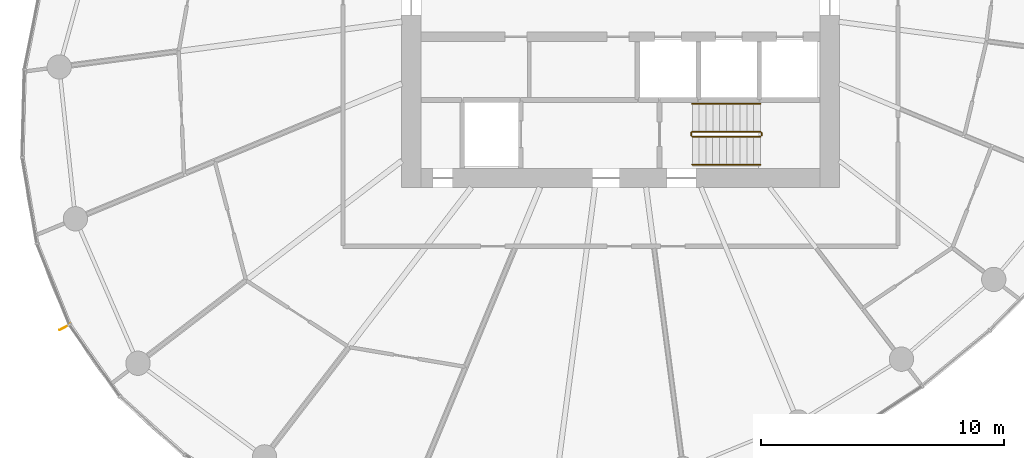
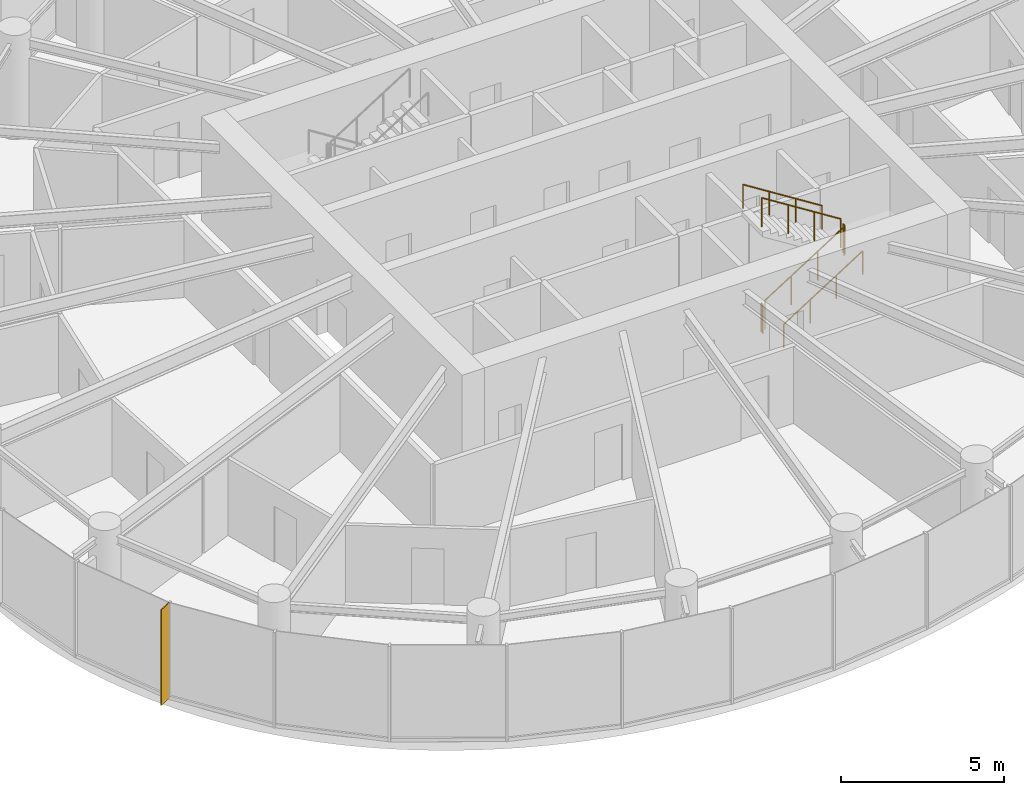
# One storey, part 13 of 15: 6 railings, 1 shading device.
"""IFC4 building model written with IfcOpenShell, lengths in metres."""

from ifc_helpers import new_model, si_unit, direction, frame, origin, origin_2d, place, context, subcontext, project, spatial, rectangle, circle, extrude, source, transform, mapped, material, material_profile, profile_set, type_object, element, save


model = new_model("IFC4")

# Units and contexts
model_context = context("Model", 3, precision=1e-05, world=origin(), true_north=direction((0.0, 1.0)))
body_context = subcontext(model_context, "Body", "Model", "MODEL_VIEW")
ifc_project = project(units=[si_unit("LENGTHUNIT", "METRE"), si_unit("AREAUNIT", "SQUARE_METRE"), si_unit("VOLUMEUNIT", "CUBIC_METRE"), si_unit("PLANEANGLEUNIT", "RADIAN"), si_unit("MASSUNIT", "GRAM", prefix="KILO")], contexts=[model_context])

# Site, building, storey
site_placement = place(None, origin())
site = spatial("IfcSite", under=ifc_project, at=site_placement, CompositionType="ELEMENT")
building_placement = place(site_placement, origin())
building = spatial("IfcBuilding", under=site, at=building_placement, Name="Spindrift Exchange Tower", CompositionType="ELEMENT")
storey_placement = place(building_placement, frame((0.0, 0.0, 172.10009765625)))
storey = spatial("IfcBuildingStorey", under=building, at=storey_placement, Name="L41", CompositionType="ELEMENT", Elevation=172.10009765625)

# Railings
ifc_material_1 = material(Name="Steel balustrade", Category="steel")
railing_type_1 = type_object("IfcRailingType", Name="RL-STAIR-GUARD", PredefinedType="GUARDRAIL", material=ifc_material_1)
railing_1_placement = place(storey_placement, frame((54.949951171875, 42.10009765625, 0.17724609375)))
element("IfcRailing", 1, at=railing_1_placement, inside=storey, type_object=railing_type_1, Name="L41 ST2 stair guard 1", PredefinedType="GUARDRAIL", context=body_context, shape_type="SweptSolid", body=[
    extrude(circle(Radius=0.02392578125, at=origin_2d()), frame((0.0, 0.0, 1.076171875), z_axis=(0.844908973607, 0.0, 0.534910110503), x_axis=(0.0, 1.0, 0.0)), (0.0, 0.0, 1.0), 3.31396484375),
    extrude(circle(Radius=0.02099609375, at=origin_2d()), origin(), (0.0, 0.0, 1.0), 1.052001953125),
    extrude(circle(Radius=0.02099609375, at=origin_2d()), frame((0.933349609375, 0.0, 0.5908203125)), (0.0, 0.0, 1.0), 1.052001953125),
    extrude(circle(Radius=0.02099609375, at=origin_2d()), frame((1.86669921875, 0.0, 1.181884765625)), (0.0, 0.0, 1.0), 1.052001953125),
    extrude(circle(Radius=0.02099609375, at=origin_2d()), frame((2.800048828125, 0.0, 1.772705078125)), (0.0, 0.0, 1.0), 1.052001953125),
])
railing_2_placement = place(storey_placement, frame((57.800048828125, 42.14990234375, 1.949951171875)))
element("IfcRailing", 2, at=railing_2_placement, inside=storey, type_object=railing_type_1, Name="L41 ST2 stair guard 2", PredefinedType="GUARDRAIL", context=body_context, shape_type="SweptSolid", body=[
    extrude(circle(Radius=0.02392578125, at=origin_2d()), frame((0.0, 0.0, 1.076171875), z_axis=(0.0, 1.0, 0.0), x_axis=(-1.0, 0.0, 0.0)), (0.0, 0.0, 1.0), 0.10009765625),
    extrude(circle(Radius=0.02099609375, at=origin_2d()), origin(), (0.0, 0.0, 1.0), 1.052001953125),
    extrude(circle(Radius=0.02099609375, at=origin_2d()), frame((0.0, 0.10009765625, 0.0)), (0.0, 0.0, 1.0), 1.052001953125),
])
railing_3_placement = place(storey_placement, frame((57.75, 42.300048828125, 2.127197265625)))
element("IfcRailing", 3, at=railing_3_placement, inside=storey, type_object=railing_type_1, Name="L41 ST2 stair guard 3", PredefinedType="GUARDRAIL", context=body_context, shape_type="SweptSolid", body=[
    extrude(circle(Radius=0.02392578125, at=origin_2d()), frame((0.0, 0.0, 1.076171875), z_axis=(-0.844908973607, 0.0, 0.534910110503), x_axis=(0.0, -1.0, 0.0)), (0.0, 0.0, 1.0), 3.31396484375),
    extrude(circle(Radius=0.02099609375, at=origin_2d()), origin(), (0.0, 0.0, 1.0), 1.052001953125),
    extrude(circle(Radius=0.02099609375, at=origin_2d()), frame((-0.933349609375, 0.0, 0.5908203125)), (0.0, 0.0, 1.0), 1.052001953125),
    extrude(circle(Radius=0.02099609375, at=origin_2d()), frame((-1.86669921875, 0.0, 1.181884765625)), (0.0, 0.0, 1.0), 1.052001953125),
    extrude(circle(Radius=0.02099609375, at=origin_2d()), frame((-2.800048828125, 0.0, 1.772705078125)), (0.0, 0.0, 1.0), 1.052001953125),
])
railing_4_placement = place(storey_placement, frame((54.89990234375, 42.14990234375, 0.0)))
element("IfcRailing", 4, at=railing_4_placement, inside=storey, type_object=railing_type_1, Name="L41 ST2 stair guard 4", PredefinedType="GUARDRAIL", context=body_context, shape_type="SweptSolid", body=[
    extrude(circle(Radius=0.02392578125, at=origin_2d()), frame((0.0, 0.0, 1.076171875), z_axis=(0.0, 1.0, 0.0), x_axis=(-1.0, 0.0, 0.0)), (0.0, 0.0, 1.0), 0.10009765625),
    extrude(circle(Radius=0.02099609375, at=origin_2d()), origin(), (0.0, 0.0, 1.0), 1.052001953125),
    extrude(circle(Radius=0.02099609375, at=origin_2d()), frame((0.0, 0.10009765625, 0.0)), (0.0, 0.0, 1.0), 1.052001953125),
])
ifc_material_2 = material(Name="Steel tubular handrail", Category="steel")
railing_type_2 = type_object("IfcRailingType", Name="RL-STAIR-HAND", PredefinedType="HANDRAIL", material=ifc_material_2)
railing_5_placement = place(storey_placement, frame((54.949951171875, 40.949951171875, 0.17724609375)))
element("IfcRailing", 5, at=railing_5_placement, inside=storey, type_object=railing_type_2, Name="L41 ST2 stair handrail 1", PredefinedType="HANDRAIL", context=body_context, shape_type="SweptSolid", body=[
    extrude(circle(Radius=0.02392578125, at=origin_2d()), frame((0.0, 0.0, 0.8759765625), z_axis=(0.844908973607, 0.0, 0.534910110503), x_axis=(0.0, 1.0, 0.0)), (0.0, 0.0, 1.0), 3.31396484375),
    extrude(circle(Radius=0.02099609375, at=origin_2d()), origin(), (0.0, 0.0, 1.0), 0.851806640625),
    extrude(circle(Radius=0.02099609375, at=origin_2d()), frame((0.933349609375, 0.0, 0.5908203125)), (0.0, 0.0, 1.0), 0.851806640625),
    extrude(circle(Radius=0.02099609375, at=origin_2d()), frame((1.86669921875, 0.0, 1.181884765625)), (0.0, 0.0, 1.0), 0.851806640625),
    extrude(circle(Radius=0.02099609375, at=origin_2d()), frame((2.800048828125, 0.0, 1.772705078125)), (0.0, 0.0, 1.0), 0.851806640625),
])
railing_6_placement = place(storey_placement, frame((57.75, 43.449951171875, 2.127197265625)))
element("IfcRailing", 6, at=railing_6_placement, inside=storey, type_object=railing_type_2, Name="L41 ST2 stair handrail 2", PredefinedType="HANDRAIL", context=body_context, shape_type="SweptSolid", body=[
    extrude(circle(Radius=0.02392578125, at=origin_2d()), frame((0.0, 0.0, 0.8759765625), z_axis=(-0.844908973607, 0.0, 0.534910110503), x_axis=(0.0, -1.0, 0.0)), (0.0, 0.0, 1.0), 3.31396484375),
    extrude(circle(Radius=0.02099609375, at=origin_2d()), origin(), (0.0, 0.0, 1.0), 0.851806640625),
    extrude(circle(Radius=0.02099609375, at=origin_2d()), frame((-0.933349609375, 0.0, 0.5908203125)), (0.0, 0.0, 1.0), 0.851806640625),
    extrude(circle(Radius=0.02099609375, at=origin_2d()), frame((-1.86669921875, 0.0, 1.181884765625)), (0.0, 0.0, 1.0), 0.851806640625),
    extrude(circle(Radius=0.02099609375, at=origin_2d()), frame((-2.800048828125, 0.0, 1.772705078125)), (0.0, 0.0, 1.0), 0.851806640625),
])

# Shading device
ifc_material_3 = material(Name="Bronze anodised aluminium", Category="aluminium")
ifc_material_profile = material_profile(ifc_material_3, rectangle(XDim=0.030029296875, YDim=0.5, at=origin_2d()), Name="WIND FIN 30X500")
ifc_profile_set = profile_set([ifc_material_profile], Name="Bronze anodised aluminium")
shading_device_type = type_object("IfcShadingDeviceType", Name="WIND FIN 30X500", PredefinedType="USERDEFINED", material=ifc_profile_set)
shared_shape = source(origin(), body_context, "Body", "SweptSolid", [
    extrude(rectangle(XDim=0.030029296875, YDim=0.5, at=origin_2d()), origin(), (0.0, 0.0, 1.0), 3.579833984375),
])
shading_device_placement = place(storey_placement, frame((29.172119140625, 34.269287109375, 0.0), z_axis=(0.0, 0.0, 1.0), x_axis=(0.476278105286, -0.879294698281, 0.0)))
element("IfcShadingDevice", 7, at=shading_device_placement, inside=storey, type_object=shading_device_type, Name="L41 wind fin 1", ObjectType="FIN", PredefinedType="USERDEFINED", context=body_context, shape_type="MappedRepresentation", body=[
    mapped(shared_shape, transform((0.0, 0.0, 0.0), scale=1.0)),
])

save(model, "model.ifc")
